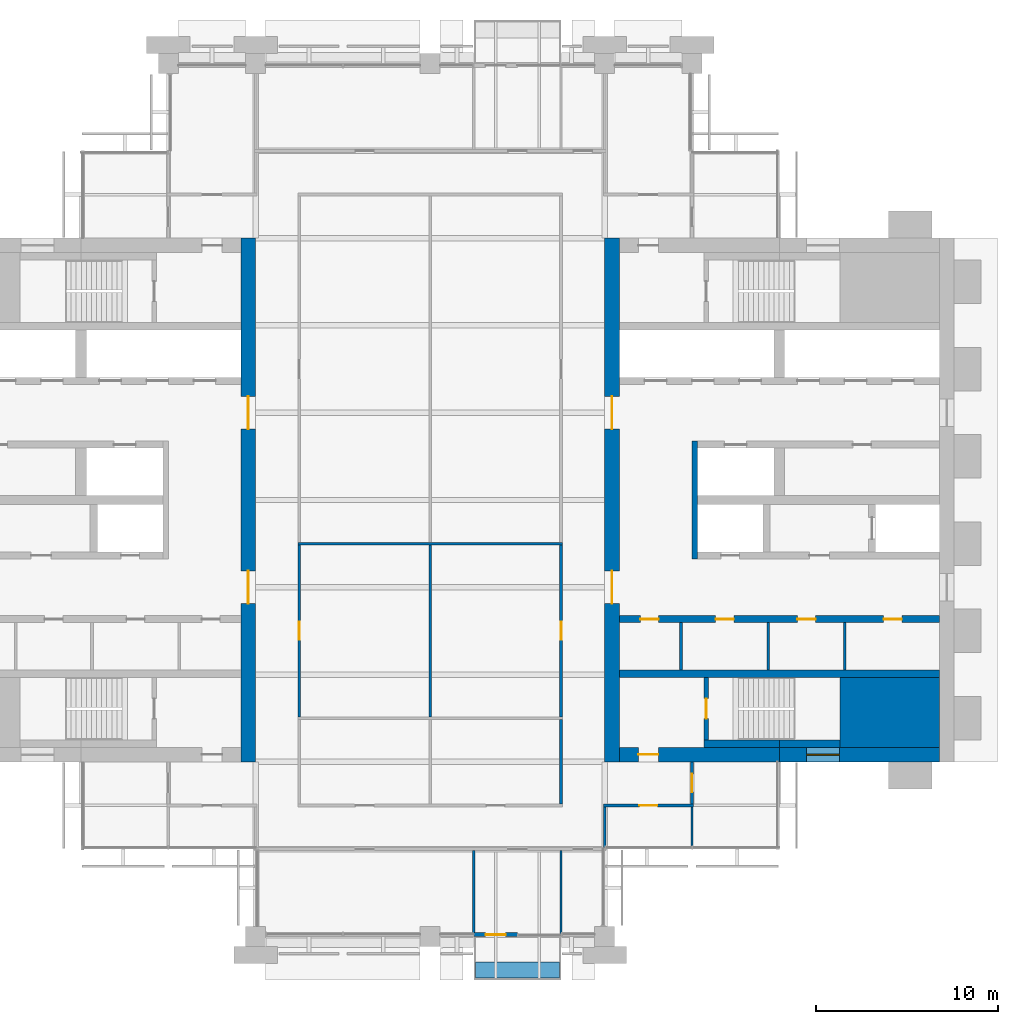
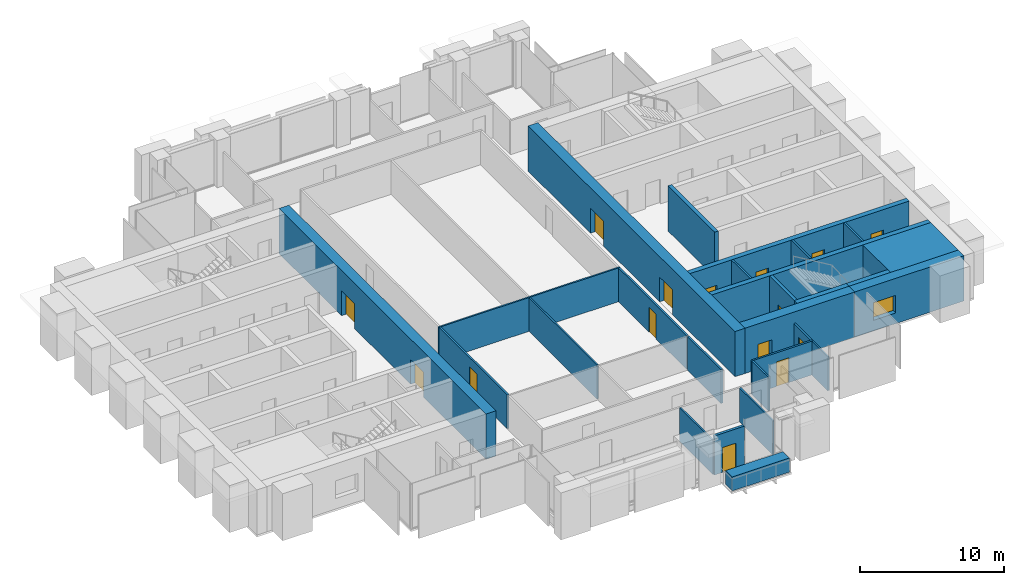
# One storey, part 9 of 14: 27 walls, 15 doors, 1 window, 16 openings.
"""IFC4 building model written with IfcOpenShell, lengths in metres."""

from ifc_helpers import new_model, si_unit, direction, frame, frame_2d, origin, place, context, subcontext, project, spatial, rectangle, extrude, material, layer, layer_set, type_object, element, fill, save


model = new_model("IFC4")

# Units and contexts
model_context = context("Model", 3, precision=1e-05, world=origin(), true_north=direction((0.0, 1.0)))
body_context = subcontext(model_context, "Body", "Model", "MODEL_VIEW")
ifc_project = project(units=[si_unit("LENGTHUNIT", "METRE"), si_unit("AREAUNIT", "SQUARE_METRE"), si_unit("VOLUMEUNIT", "CUBIC_METRE"), si_unit("PLANEANGLEUNIT", "RADIAN"), si_unit("MASSUNIT", "GRAM", prefix="KILO")], contexts=[model_context])

# Site, building, storey
site_placement = place(None, origin())
site = spatial("IfcSite", under=ifc_project, at=site_placement, CompositionType="ELEMENT")
building_placement = place(site_placement, origin())
building = spatial("IfcBuilding", under=site, at=building_placement, Name="Baori Bourse Tower", CompositionType="ELEMENT")
storey_placement = place(building_placement, frame((0.0, 0.0, 197.199951171875)))
storey = spatial("IfcBuildingStorey", under=building, at=storey_placement, Name="L42", CompositionType="ELEMENT", Elevation=197.199951171875)

# Walls
ifc_material_1 = material(Name="Concrete f'c 50 MPa", Category="concrete")
wall_type_1 = type_object("IfcWallType", Name="Core corner block f'c 50", PredefinedType="SHEAR", material=ifc_material_1)
wall_1_placement = place(storey_placement, frame((51.35009765625, 12.324951171875, 0.0), z_axis=(0.0, 0.0, 1.0), x_axis=(1.0, 0.0, 0.0)))
element("IfcWall", 1, at=wall_1_placement, inside=storey, type_object=wall_type_1, Name="Core wall E05", PredefinedType="SHEAR", context=body_context, shape_type="SweptSolid", body=[
    extrude(rectangle(XDim=5.449951171875, YDim=3.85009765625, at=frame_2d((2.72509765625, 0.0))), origin(), (0.0, 0.0, 1.0), 3.840087890625),
])
ifc_material_2 = material(Name="Blockwork partition", Category="masonry")
ifc_layer_1 = layer(ifc_material_2, 0.14990234375)
ifc_layer_set_1 = layer_set([ifc_layer_1], Name="Core partition 150")
wall_type_2 = type_object("IfcWallType", Name="Core partition 150", PredefinedType="PARTITIONING", material=ifc_layer_set_1)
for number, where, z_axis, x_axis, name in (
    (2, (51.60009765625, 14.64990234375, 0.0), (0.0, 0.0, 1.0), (0.0, 1.0, 0.0), "Partition wall E10"),
    (3, (47.39990234375, 14.64990234375, 0.0), (0.0, 0.0, 1.0), (0.0, 1.0, 0.0), "Partition wall E11"),
    (4, (42.60009765625, 14.64990234375, 0.0), (0.0, 0.0, 1.0), (0.0, 1.0, 0.0), "Partition wall E12"),
):
    element("IfcWall", number, at=place(storey_placement, frame(where, z_axis=z_axis, x_axis=x_axis)), inside=storey, type_object=wall_type_2, Name=name, PredefinedType="PARTITIONING", context=body_context, shape_type="SweptSolid", body=[
        extrude(rectangle(XDim=2.60009765625, YDim=0.14990234375, at=frame_2d((1.300048828125, 0.0))), origin(), (0.0, 0.0, 1.0), 3.840087890625),
    ])

# Wall, openings, doors
ifc_material_3 = material(Name="Concrete f'c 50 MPa", Category="concrete")
ifc_layer_2 = layer(ifc_material_3, 0.800048828125)
ifc_layer_set_2 = layer_set([ifc_layer_2], Name="Core wall 800 f'c 50")
wall_type_3 = type_object("IfcWallType", Name="Core wall 800 f'c 50", PredefinedType="SHEAR", material=ifc_layer_set_2)
wall_2_placement = place(storey_placement, frame((18.800048828125, 38.39990234375, 0.0), z_axis=(0.0, 0.0, 1.0), x_axis=(0.0, -1.0, 0.0)))
wall_2 = element("IfcWall", 5, at=wall_2_placement, inside=storey, type_object=wall_type_3, Name="Core wall W04", PredefinedType="SHEAR", context=body_context, shape_type="SweptSolid", body=[
    extrude(rectangle(XDim=28.7998046875, YDim=0.800048828125, at=frame_2d((14.39990234375, 0.0))), origin(), (0.0, 0.0, 1.0), 3.840087890625),
])
opening_1_placement = place(wall_2_placement, frame((18.300048828125, 0.0, 0.0)))
opening_1 = element("IfcOpeningElement", 6, at=opening_1_placement, cuts=wall_2, Name="Opening L42-D107", PredefinedType="OPENING", context=body_context, shape_type="SweptSolid", body=[
    extrude(rectangle(XDim=1.800048828125, YDim=2.10009765625, at=frame_2d((0.89990234375, 1.050048828125))), frame((0.0, 0.409912109375, 0.0), z_axis=(0.0, -1.0, 0.0), x_axis=(1.0, 0.0, 0.0)), (0.0, 0.0, 1.0), 0.820068359375),
])
opening_2_placement = place(wall_2_placement, frame((8.699951171875, 0.0, 0.0)))
opening_2 = element("IfcOpeningElement", 7, at=opening_2_placement, cuts=wall_2, Name="Opening L42-D108", PredefinedType="OPENING", context=body_context, shape_type="SweptSolid", body=[
    extrude(rectangle(XDim=1.800048828125, YDim=2.10009765625, at=frame_2d((0.89990234375, 1.050048828125))), frame((0.0, 0.409912109375, 0.0), z_axis=(0.0, -1.0, 0.0), x_axis=(1.0, 0.0, 0.0)), (0.0, 0.0, 1.0), 0.820068359375),
])
ifc_material_4 = material(Name="Painted steel door", Category="steel")
door_type_1 = type_object("IfcDoorType", Name="Core lobby door 1800", OperationType="DOUBLE_DOOR_SINGLE_SWING", PredefinedType="DOOR", material=ifc_material_4)
door_1_placement = place(opening_1_placement, origin())
door_1 = element("IfcDoor", 8, at=door_1_placement, inside=storey, type_object=door_type_1, Name="Lobby door W L42", OperationType="DOUBLE_DOOR_SINGLE_SWING", OverallHeight=2.10009765625, OverallWidth=1.800048828125, PredefinedType="DOOR", context=body_context, shape_type="SweptSolid", body=[
    extrude(rectangle(XDim=1.800048828125, YDim=2.10009765625, at=frame_2d((0.89990234375, 1.050048828125))), frame((0.0, 0.02490234375, 0.0), z_axis=(0.0, -1.0, 0.0), x_axis=(1.0, 0.0, 0.0)), (0.0, 0.0, 1.0), 0.050048828125),
])
fill(opening_1, door_1)
door_2_placement = place(opening_2_placement, origin())
door_2 = element("IfcDoor", 9, at=door_2_placement, inside=storey, type_object=door_type_1, Name="Lobby door W L42", OperationType="DOUBLE_DOOR_SINGLE_SWING", OverallHeight=2.10009765625, OverallWidth=1.800048828125, PredefinedType="DOOR", context=body_context, shape_type="SweptSolid", body=[
    extrude(rectangle(XDim=1.800048828125, YDim=2.10009765625, at=frame_2d((0.89990234375, 1.050048828125))), frame((0.0, 0.02490234375, 0.0), z_axis=(0.0, -1.0, 0.0), x_axis=(1.0, 0.0, 0.0)), (0.0, 0.0, 1.0), 0.050048828125),
])
fill(opening_2, door_2)

# Wall, opening, window
wall_3_placement = place(storey_placement, frame((56.800048828125, 10.0, 0.0), z_axis=(0.0, 0.0, 1.0), x_axis=(-1.0, 0.0, 0.0)))
wall_3 = element("IfcWall", 10, at=wall_3_placement, inside=storey, type_object=wall_type_3, Name="Core wall E02", PredefinedType="SHEAR", context=body_context, shape_type="SweptSolid", body=[
    extrude(rectangle(XDim=8.800048828125, YDim=0.800048828125, at=frame_2d((4.39990234375, 0.0))), origin(), (0.0, 0.0, 1.0), 3.840087890625),
])
opening_3_placement = place(wall_3_placement, frame((5.5, 0.0, 0.89990234375)))
opening_3 = element("IfcOpeningElement", 11, at=opening_3_placement, cuts=wall_3, Name="Opening L42-KW203", PredefinedType="OPENING", context=body_context, shape_type="SweptSolid", body=[
    extrude(rectangle(XDim=1.800048828125, YDim=1.5, at=frame_2d((0.89990234375, 0.75))), frame((0.0, 0.409912109375, 0.0), z_axis=(0.0, -1.0, 0.0), x_axis=(1.0, 0.0, 0.0)), (0.0, 0.0, 1.0), 0.820068359375),
])
ifc_material_5 = material(Name="Pale anodised aluminium", Category="aluminium")
window_type = type_object("IfcWindowType", Name="Stair window 1800 x 1500", PartitioningType="SINGLE_PANEL", PredefinedType="WINDOW", material=ifc_material_5)
window_placement = place(opening_3_placement, origin())
window = element("IfcWindow", 12, at=window_placement, inside=storey, type_object=window_type, Name="Stair window E L42 3", OverallHeight=1.5, OverallWidth=1.800048828125, PartitioningType="SINGLE_PANEL", PredefinedType="WINDOW", context=body_context, shape_type="SweptSolid", body=[
    extrude(rectangle(XDim=1.800048828125, YDim=1.5, at=frame_2d((0.89990234375, 0.75))), frame((0.0, 0.030029296875, 0.0), z_axis=(0.0, -1.0, 0.0), x_axis=(1.0, 0.0, 0.0)), (0.0, 0.0, 1.0), 0.06005859375),
])
fill(opening_3, window)

# Wall, opening, door
wall_4_placement = place(storey_placement, frame((48.0, 10.0, 0.0), z_axis=(0.0, 0.0, 1.0), x_axis=(-1.0, 0.0, 0.0)))
wall_4 = element("IfcWall", 13, at=wall_4_placement, inside=storey, type_object=wall_type_3, Name="Core wall E03", PredefinedType="SHEAR", context=body_context, shape_type="SweptSolid", body=[
    extrude(rectangle(XDim=8.800048828125, YDim=0.800048828125, at=frame_2d((4.39990234375, 0.0))), origin(), (0.0, 0.0, 1.0), 3.840087890625),
])
opening_4_placement = place(wall_4_placement, frame((6.64990234375, 0.0, 0.0)))
opening_4 = element("IfcOpeningElement", 14, at=opening_4_placement, cuts=wall_4, Name="Opening L42-D202", PredefinedType="OPENING", context=body_context, shape_type="SweptSolid", body=[
    extrude(rectangle(XDim=1.10009765625, YDim=2.10009765625, at=frame_2d((0.550048828125, 1.050048828125))), frame((0.0, 0.409912109375, 0.0), z_axis=(0.0, -1.0, 0.0), x_axis=(1.0, 0.0, 0.0)), (0.0, 0.0, 1.0), 0.820068359375),
])
ifc_material_6 = material(Name="Painted steel door", Category="steel")
door_type_2 = type_object("IfcDoorType", Name="Stair door 1100", OperationType="SINGLE_SWING_LEFT", PredefinedType="DOOR", material=ifc_material_6)
door_3_placement = place(opening_4_placement, origin())
door_3 = element("IfcDoor", 15, at=door_3_placement, inside=storey, type_object=door_type_2, Name="Stair vestibule door A E L42", OperationType="SINGLE_SWING_LEFT", OverallHeight=2.10009765625, OverallWidth=1.10009765625, PredefinedType="DOOR", context=body_context, shape_type="SweptSolid", body=[
    extrude(rectangle(XDim=1.10009765625, YDim=2.10009765625, at=frame_2d((0.550048828125, 1.050048828125))), frame((0.0, 0.02490234375, 0.0), z_axis=(0.0, -1.0, 0.0), x_axis=(1.0, 0.0, 0.0)), (0.0, 0.0, 1.0), 0.050048828125),
])
fill(opening_4, door_3)

# Wall, openings, doors
wall_5_placement = place(storey_placement, frame((38.800048828125, 9.60009765625, 0.0), z_axis=(0.0, 0.0, 1.0), x_axis=(0.0, 1.0, 0.0)))
wall_5 = element("IfcWall", 16, at=wall_5_placement, inside=storey, type_object=wall_type_3, Name="Core wall E04", PredefinedType="SHEAR", context=body_context, shape_type="SweptSolid", body=[
    extrude(rectangle(XDim=28.7998046875, YDim=0.800048828125, at=frame_2d((14.39990234375, 0.0))), origin(), (0.0, 0.0, 1.0), 3.840087890625),
])
opening_5_placement = place(wall_5_placement, frame((8.699951171875, 0.0, 0.0)))
opening_5 = element("IfcOpeningElement", 17, at=opening_5_placement, cuts=wall_5, Name="Opening L42-D207", PredefinedType="OPENING", context=body_context, shape_type="SweptSolid", body=[
    extrude(rectangle(XDim=1.800048828125, YDim=2.10009765625, at=frame_2d((0.89990234375, 1.050048828125))), frame((0.0, 0.409912109375, 0.0), z_axis=(0.0, -1.0, 0.0), x_axis=(1.0, 0.0, 0.0)), (0.0, 0.0, 1.0), 0.820068359375),
])
opening_6_placement = place(wall_5_placement, frame((18.300048828125, 0.0, 0.0)))
opening_6 = element("IfcOpeningElement", 18, at=opening_6_placement, cuts=wall_5, Name="Opening L42-D208", PredefinedType="OPENING", context=body_context, shape_type="SweptSolid", body=[
    extrude(rectangle(XDim=1.800048828125, YDim=2.10009765625, at=frame_2d((0.89990234375, 1.050048828125))), frame((0.0, 0.409912109375, 0.0), z_axis=(0.0, -1.0, 0.0), x_axis=(1.0, 0.0, 0.0)), (0.0, 0.0, 1.0), 0.820068359375),
])
door_4_placement = place(opening_5_placement, origin())
door_4 = element("IfcDoor", 19, at=door_4_placement, inside=storey, type_object=door_type_1, Name="Lobby door E L42", OperationType="DOUBLE_DOOR_SINGLE_SWING", OverallHeight=2.10009765625, OverallWidth=1.800048828125, PredefinedType="DOOR", context=body_context, shape_type="SweptSolid", body=[
    extrude(rectangle(XDim=1.800048828125, YDim=2.10009765625, at=frame_2d((0.89990234375, 1.050048828125))), frame((0.0, 0.02490234375, 0.0), z_axis=(0.0, -1.0, 0.0), x_axis=(1.0, 0.0, 0.0)), (0.0, 0.0, 1.0), 0.050048828125),
])
fill(opening_5, door_4)
door_5_placement = place(opening_6_placement, origin())
door_5 = element("IfcDoor", 20, at=door_5_placement, inside=storey, type_object=door_type_1, Name="Lobby door E L42", OperationType="DOUBLE_DOOR_SINGLE_SWING", OverallHeight=2.10009765625, OverallWidth=1.800048828125, PredefinedType="DOOR", context=body_context, shape_type="SweptSolid", body=[
    extrude(rectangle(XDim=1.800048828125, YDim=2.10009765625, at=frame_2d((0.89990234375, 1.050048828125))), frame((0.0, 0.02490234375, 0.0), z_axis=(0.0, -1.0, 0.0), x_axis=(1.0, 0.0, 0.0)), (0.0, 0.0, 1.0), 0.050048828125),
])
fill(opening_6, door_5)

# Wall, opening, door
ifc_material_7 = material(Name="Gypsum board partition")
ifc_layer_3 = layer(ifc_material_7, 0.14990234375)
ifc_layer_set_3 = layer_set([ifc_layer_3], Name="Corridor partition 150")
wall_type_4 = type_object("IfcWallType", Name="Corridor partition 150", PredefinedType="PARTITIONING", material=ifc_layer_set_3)
wall_6_placement = place(storey_placement, frame((38.324951171875, 7.199951171875, 0.0), z_axis=(0.0, 0.0, 1.0), x_axis=(1.0, 0.0, 0.0)))
wall_6 = element("IfcWall", 21, at=wall_6_placement, inside=storey, type_object=wall_type_4, Name="Partition", PredefinedType="PARTITIONING", context=body_context, shape_type="SweptSolid", body=[
    extrude(rectangle(XDim=4.949951171875, YDim=0.14990234375, at=frame_2d((2.47509765625, 0.0))), origin(), (0.0, 0.0, 1.0), 2.869873046875),
])
opening_7_placement = place(wall_6_placement, frame((1.97509765625, 0.0, 0.0)))
opening_7 = element("IfcOpeningElement", 22, at=opening_7_placement, cuts=wall_6, Name="Opening L42-D07", PredefinedType="OPENING", context=body_context, shape_type="SweptSolid", body=[
    extrude(rectangle(XDim=1.0, YDim=2.10009765625, at=frame_2d((0.5, 1.050048828125))), frame((0.0, 0.0849609375, 0.0), z_axis=(0.0, -1.0, 0.0), x_axis=(1.0, 0.0, 0.0)), (0.0, 0.0, 1.0), 0.169921875),
])
ifc_material_8 = material(Name="Timber door leaf", Category="wood")
door_type_3 = type_object("IfcDoorType", Name="Door 1000 x 2100", OperationType="SINGLE_SWING_LEFT", PredefinedType="DOOR", material=ifc_material_8)
door_6_placement = place(opening_7_placement, origin())
door_6 = element("IfcDoor", 23, at=door_6_placement, inside=storey, type_object=door_type_3, Name="Door", OperationType="SINGLE_SWING_LEFT", OverallHeight=2.10009765625, OverallWidth=1.0, PredefinedType="DOOR", context=body_context, shape_type="SweptSolid", body=[
    extrude(rectangle(XDim=1.0, YDim=2.10009765625, at=frame_2d((0.5, 1.050048828125))), frame((0.0, 0.02490234375, 0.0), z_axis=(0.0, -1.0, 0.0), x_axis=(1.0, 0.0, 0.0)), (0.0, 0.0, 1.0), 0.050048828125),
])
fill(opening_7, door_6)

wall_7_placement = place(storey_placement, frame((21.60009765625, 12.0625, 0.0), z_axis=(0.0, 0.0, 1.0), x_axis=(0.0, 1.0, 0.0)))
wall_7 = element("IfcWall", 24, at=wall_7_placement, inside=storey, type_object=wall_type_4, Name="Partition", PredefinedType="PARTITIONING", context=body_context, shape_type="SweptSolid", body=[
    extrude(rectangle(XDim=9.47509765625, YDim=0.14990234375, at=frame_2d((4.737548828125, 0.0))), origin(), (0.0, 0.0, 1.0), 2.869873046875),
])
opening_8_placement = place(wall_7_placement, frame((4.237548828125, 0.0, 0.0)))
opening_8 = element("IfcOpeningElement", 25, at=opening_8_placement, cuts=wall_7, Name="Opening L42-D15", PredefinedType="OPENING", context=body_context, shape_type="SweptSolid", body=[
    extrude(rectangle(XDim=1.0, YDim=2.10009765625, at=frame_2d((0.5, 1.050048828125))), frame((0.0, 0.0849609375, 0.0), z_axis=(0.0, -1.0, 0.0), x_axis=(1.0, 0.0, 0.0)), (0.0, 0.0, 1.0), 0.169921875),
])
door_7_placement = place(opening_8_placement, origin())
door_7 = element("IfcDoor", 26, at=door_7_placement, inside=storey, type_object=door_type_3, Name="Door", OperationType="SINGLE_SWING_LEFT", OverallHeight=2.10009765625, OverallWidth=1.0, PredefinedType="DOOR", context=body_context, shape_type="SweptSolid", body=[
    extrude(rectangle(XDim=1.0, YDim=2.10009765625, at=frame_2d((0.5, 1.050048828125))), frame((0.0, 0.02490234375, 0.0), z_axis=(0.0, -1.0, 0.0), x_axis=(1.0, 0.0, 0.0)), (0.0, 0.0, 1.0), 0.050048828125),
])
fill(opening_8, door_7)

# Wall
wall_8_placement = place(storey_placement, frame((36.0, 7.27490234375, 0.0), z_axis=(0.0, 0.0, 1.0), x_axis=(0.0, 1.0, 0.0)))
element("IfcWall", 27, at=wall_8_placement, inside=storey, type_object=wall_type_4, Name="Partition", PredefinedType="PARTITIONING", context=body_context, shape_type="SweptSolid", body=[
    extrude(rectangle(XDim=4.66259765625, YDim=0.14990234375, at=frame_2d((2.331298828125, 0.0))), origin(), (0.0, 0.0, 1.0), 2.869873046875),
])

# Wall, opening, door
wall_9_placement = place(storey_placement, frame((36.0, 12.0625, 0.0), z_axis=(0.0, 0.0, 1.0), x_axis=(0.0, 1.0, 0.0)))
wall_9 = element("IfcWall", 28, at=wall_9_placement, inside=storey, type_object=wall_type_4, Name="Partition", PredefinedType="PARTITIONING", context=body_context, shape_type="SweptSolid", body=[
    extrude(rectangle(XDim=9.47509765625, YDim=0.14990234375, at=frame_2d((4.737548828125, 0.0))), origin(), (0.0, 0.0, 1.0), 2.869873046875),
])
opening_9_placement = place(wall_9_placement, frame((4.237548828125, 0.0, 0.0)))
opening_9 = element("IfcOpeningElement", 29, at=opening_9_placement, cuts=wall_9, Name="Opening L42-D17", PredefinedType="OPENING", context=body_context, shape_type="SweptSolid", body=[
    extrude(rectangle(XDim=1.0, YDim=2.10009765625, at=frame_2d((0.5, 1.050048828125))), frame((0.0, 0.0849609375, 0.0), z_axis=(0.0, -1.0, 0.0), x_axis=(1.0, 0.0, 0.0)), (0.0, 0.0, 1.0), 0.169921875),
])
door_8_placement = place(opening_9_placement, origin())
door_8 = element("IfcDoor", 30, at=door_8_placement, inside=storey, type_object=door_type_3, Name="Door", OperationType="SINGLE_SWING_RIGHT", OverallHeight=2.10009765625, OverallWidth=1.0, PredefinedType="DOOR", context=body_context, shape_type="SweptSolid", body=[
    extrude(rectangle(XDim=1.0, YDim=2.10009765625, at=frame_2d((0.5, 1.050048828125))), frame((0.0, 0.02490234375, 0.0), z_axis=(0.0, -1.0, 0.0), x_axis=(1.0, 0.0, 0.0)), (0.0, 0.0, 1.0), 0.050048828125),
])
fill(opening_9, door_8)

# Wall
wall_10_placement = place(storey_placement, frame((38.39990234375, 4.875, 0.0), z_axis=(0.0, 0.0, 1.0), x_axis=(0.0, 1.0, 0.0)))
element("IfcWall", 31, at=wall_10_placement, inside=storey, type_object=wall_type_4, Name="Partition", PredefinedType="PARTITIONING", context=body_context, shape_type="SweptSolid", body=[
    extrude(rectangle(XDim=2.25, YDim=0.14990234375, at=frame_2d((1.125, 0.0))), origin(), (0.0, 0.0, 1.0), 2.869873046875),
])

# Wall, opening, door
wall_11_placement = place(storey_placement, frame((43.199951171875, 7.27490234375, 0.0), z_axis=(0.0, 0.0, 1.0), x_axis=(0.0, 1.0, 0.0)))
wall_11 = element("IfcWall", 32, at=wall_11_placement, inside=storey, type_object=wall_type_4, Name="Partition", PredefinedType="PARTITIONING", context=body_context, shape_type="SweptSolid", body=[
    extrude(rectangle(XDim=2.3251953125, YDim=0.14990234375, at=frame_2d((1.16259765625, 0.0))), origin(), (0.0, 0.0, 1.0), 2.869873046875),
])
opening_10_placement = place(wall_11_placement, frame((0.66259765625, 0.0, 0.0)))
opening_10 = element("IfcOpeningElement", 33, at=opening_10_placement, cuts=wall_11, Name="Opening L42-D19", PredefinedType="OPENING", context=body_context, shape_type="SweptSolid", body=[
    extrude(rectangle(XDim=1.0, YDim=2.10009765625, at=frame_2d((0.5, 1.050048828125))), frame((0.0, 0.0849609375, 0.0), z_axis=(0.0, -1.0, 0.0), x_axis=(1.0, 0.0, 0.0)), (0.0, 0.0, 1.0), 0.169921875),
])
door_9_placement = place(opening_10_placement, origin())
door_9 = element("IfcDoor", 34, at=door_9_placement, inside=storey, type_object=door_type_3, Name="Door", OperationType="SINGLE_SWING_LEFT", OverallHeight=2.10009765625, OverallWidth=1.0, PredefinedType="DOOR", context=body_context, shape_type="SweptSolid", body=[
    extrude(rectangle(XDim=1.0, YDim=2.10009765625, at=frame_2d((0.5, 1.050048828125))), frame((0.0, 0.02490234375, 0.0), z_axis=(0.0, -1.0, 0.0), x_axis=(1.0, 0.0, 0.0)), (0.0, 0.0, 1.0), 0.050048828125),
])
fill(opening_10, door_9)

ifc_material_9 = material(Name="Pale anodised aluminium", Category="aluminium")
ifc_layer_4 = layer(ifc_material_9, 0.199951171875)
ifc_layer_set_4 = layer_set([ifc_layer_4], Name="EW1 External wall bay")
wall_type_5 = type_object("IfcWallType", Name="EW1 External wall bay", PredefinedType="SOLIDWALL", material=ifc_layer_set_4)
wall_12_placement = place(storey_placement, frame((31.199951171875, 0.10009765625, 0.0), z_axis=(0.0, 0.0, 1.0), x_axis=(1.0, 0.0, 0.0)))
wall_12 = element("IfcWall", 35, at=wall_12_placement, inside=storey, type_object=wall_type_5, Name="External wall bay L42 2", PredefinedType="SOLIDWALL", context=body_context, shape_type="SweptSolid", body=[
    extrude(rectangle(XDim=2.400146484375, YDim=0.199951171875, at=frame_2d((1.2001953125, 0.0))), origin(), (0.0, 0.0, 1.0), 3.314208984375),
])
opening_11_placement = place(wall_12_placement, frame((0.64990234375, 0.0, 0.0)))
opening_11 = element("IfcOpeningElement", 36, at=opening_11_placement, cuts=wall_12, Name="Opening L42-D92", PredefinedType="OPENING", context=body_context, shape_type="SweptSolid", body=[
    extrude(rectangle(XDim=1.10009765625, YDim=2.10009765625, at=frame_2d((0.550048828125, 1.050048828125))), frame((0.0, 0.10986328125, 0.0), z_axis=(0.0, -1.0, 0.0), x_axis=(1.0, 0.0, 0.0)), (0.0, 0.0, 1.0), 0.219970703125),
])
ifc_material_10 = material(Name="Pale anodised aluminium", Category="aluminium")
door_type_4 = type_object("IfcDoorType", Name="BL1 Balcony door", OperationType="SINGLE_SWING_LEFT", PredefinedType="DOOR", material=ifc_material_10)
door_10_placement = place(opening_11_placement, origin())
door_10 = element("IfcDoor", 37, at=door_10_placement, inside=storey, type_object=door_type_4, Name="Balcony door L42 2", OperationType="SINGLE_SWING_LEFT", OverallHeight=2.10009765625, OverallWidth=1.10009765625, PredefinedType="DOOR", context=body_context, shape_type="SweptSolid", body=[
    extrude(rectangle(XDim=1.10009765625, YDim=2.10009765625, at=frame_2d((0.550048828125, 1.050048828125))), frame((0.0, 0.02490234375, 0.0), z_axis=(0.0, -1.0, 0.0), x_axis=(1.0, 0.0, 0.0)), (0.0, 0.0, 1.0), 0.050048828125),
])
fill(opening_11, door_10)

# Walls
ifc_material_11 = material(Name="Concrete f'c 40 MPa", Category="concrete")
ifc_layer_5 = layer(ifc_material_11, 0.89990234375)
ifc_layer_set_5 = layer_set([ifc_layer_5], Name="PW1 Planter wall")
wall_type_6 = type_object("IfcWallType", Name="PW1 Planter wall", PredefinedType="USERDEFINED", material=ifc_layer_set_5)
wall_13_placement = place(storey_placement, frame((31.300048828125, -1.85009765625, 0.0), z_axis=(0.0, 0.0, 1.0), x_axis=(1.0, 0.0, 0.0)))
element("IfcWall", 38, at=wall_13_placement, inside=storey, type_object=wall_type_6, Name="Planter balcony S L42 1", ObjectType="PLANTER", PredefinedType="USERDEFINED", context=body_context, shape_type="SweptSolid", body=[
    extrude(rectangle(XDim=4.599853515625, YDim=0.89990234375, at=frame_2d((2.2998046875, 0.0))), origin(), (0.0, 0.0, 1.0), 1.199951171875),
])
ifc_material_12 = material(Name="Gypsum board partition")
ifc_layer_6 = layer(ifc_material_12, 0.125)
ifc_layer_set_6 = layer_set([ifc_layer_6], Name="Partition 125")
wall_type_7 = type_object("IfcWallType", Name="Partition 125", PredefinedType="PARTITIONING", material=ifc_layer_set_6)
wall_14_placement = place(storey_placement, frame((21.52490234375, 21.60009765625, 0.0), z_axis=(0.0, 0.0, 1.0), x_axis=(1.0, 0.0, 0.0)))
element("IfcWall", 39, at=wall_14_placement, inside=storey, type_object=wall_type_7, Name="Partition", PredefinedType="PARTITIONING", context=body_context, shape_type="SweptSolid", body=[
    extrude(rectangle(XDim=14.550048828125, YDim=0.125, at=frame_2d((7.27490234375, 0.0))), origin(), (0.0, 0.0, 1.0), 2.869873046875),
])
wall_15_placement = place(storey_placement, frame((28.800048828125, 12.0625, 0.0), z_axis=(0.0, 0.0, 1.0), x_axis=(0.0, 1.0, 0.0)))
element("IfcWall", 40, at=wall_15_placement, inside=storey, type_object=wall_type_7, Name="Partition", PredefinedType="PARTITIONING", context=body_context, shape_type="SweptSolid", body=[
    extrude(rectangle(XDim=9.47509765625, YDim=0.125, at=frame_2d((4.737548828125, 0.0))), origin(), (0.0, 0.0, 1.0), 2.869873046875),
])
for number, where, z_axis, x_axis, name in (
    (41, (31.199951171875, 0.10009765625, 0.0), (0.0, 0.0, 1.0), (0.0, 1.0, 0.0), "Partition"),
    (42, (36.0, 0.10009765625, 0.0), (0.0, 0.0, 1.0), (0.0, 1.0, 0.0), "Partition"),
):
    element("IfcWall", number, at=place(storey_placement, frame(where, z_axis=z_axis, x_axis=x_axis)), inside=storey, type_object=wall_type_7, Name=name, PredefinedType="PARTITIONING", context=body_context, shape_type="SweptSolid", body=[
        extrude(rectangle(XDim=4.625, YDim=0.125, at=frame_2d((2.3125, 0.0))), origin(), (0.0, 0.0, 1.0), 2.869873046875),
    ])
wall_16_placement = place(storey_placement, frame((43.199951171875, 4.89990234375, 0.0), z_axis=(0.0, 0.0, 1.0), x_axis=(0.0, 1.0, 0.0)))
element("IfcWall", 43, at=wall_16_placement, inside=storey, type_object=wall_type_7, Name="Partition", PredefinedType="PARTITIONING", context=body_context, shape_type="SweptSolid", body=[
    extrude(rectangle(XDim=2.22509765625, YDim=0.125, at=frame_2d((1.112548828125, 0.0))), origin(), (0.0, 0.0, 1.0), 2.869873046875),
])

# Wall, opening, door
ifc_material_13 = material(Name="Concrete f'c 50 MPa", Category="concrete")
ifc_layer_7 = layer(ifc_material_13, 0.25)
ifc_layer_set_7 = layer_set([ifc_layer_7], Name="Shaft wall 250 f'c 50")
wall_type_8 = type_object("IfcWallType", Name="Shaft wall 250 f'c 50", PredefinedType="SHEAR", material=ifc_layer_set_7)
wall_17_placement = place(storey_placement, frame((43.97509765625, 10.800048828125, 0.0), z_axis=(0.0, 0.0, 1.0), x_axis=(0.0, 1.0, 0.0)))
wall_17 = element("IfcWall", 44, at=wall_17_placement, inside=storey, type_object=wall_type_8, Name="Core wall E08", PredefinedType="SHEAR", context=body_context, shape_type="SweptSolid", body=[
    extrude(rectangle(XDim=3.449951171875, YDim=0.25, at=frame_2d((1.72509765625, 0.0))), origin(), (0.0, 0.0, 1.0), 3.840087890625),
])
opening_12_placement = place(wall_17_placement, frame((1.175048828125, 0.0, 0.0)))
opening_12 = element("IfcOpeningElement", 45, at=opening_12_placement, cuts=wall_17, Name="Opening L42-D201", PredefinedType="OPENING", context=body_context, shape_type="SweptSolid", body=[
    extrude(rectangle(XDim=1.10009765625, YDim=2.10009765625, at=frame_2d((0.550048828125, 1.050048828125))), frame((0.0, 0.135009765625, 0.0), z_axis=(0.0, -1.0, 0.0), x_axis=(1.0, 0.0, 0.0)), (0.0, 0.0, 1.0), 0.27001953125),
])
door_11_placement = place(opening_12_placement, origin())
door_11 = element("IfcDoor", 46, at=door_11_placement, inside=storey, type_object=door_type_2, Name="Stair door A E L42", OperationType="SINGLE_SWING_LEFT", OverallHeight=2.10009765625, OverallWidth=1.10009765625, PredefinedType="DOOR", context=body_context, shape_type="SweptSolid", body=[
    extrude(rectangle(XDim=1.10009765625, YDim=2.10009765625, at=frame_2d((0.550048828125, 1.050048828125))), frame((0.0, 0.02490234375, 0.0), z_axis=(0.0, -1.0, 0.0), x_axis=(1.0, 0.0, 0.0)), (0.0, 0.0, 1.0), 0.050048828125),
])
fill(opening_12, door_11)

# Walls
ifc_material_14 = material(Name="Concrete f'c 50 MPa", Category="concrete")
ifc_layer_8 = layer(ifc_material_14, 0.300048828125)
ifc_layer_set_8 = layer_set([ifc_layer_8], Name="Shaft wall 300 f'c 50")
wall_type_9 = type_object("IfcWallType", Name="Shaft wall 300 f'c 50", PredefinedType="SHEAR", material=ifc_layer_set_8)
wall_18_placement = place(storey_placement, frame((43.35009765625, 20.75, 0.0), z_axis=(0.0, 0.0, 1.0), x_axis=(0.0, 1.0, 0.0)))
element("IfcWall", 47, at=wall_18_placement, inside=storey, type_object=wall_type_9, Name="Core wall E15", PredefinedType="SHEAR", context=body_context, shape_type="SweptSolid", body=[
    extrude(rectangle(XDim=6.5, YDim=0.300048828125, at=frame_2d((3.25, 0.0))), origin(), (0.0, 0.0, 1.0), 3.840087890625),
])
ifc_material_15 = material(Name="Concrete f'c 50 MPa", Category="concrete")
ifc_layer_9 = layer(ifc_material_15, 0.39990234375)
ifc_layer_set_9 = layer_set([ifc_layer_9], Name="Shaft wall 400 f'c 50")
wall_type_10 = type_object("IfcWallType", Name="Shaft wall 400 f'c 50", PredefinedType="SHEAR", material=ifc_layer_set_9)
wall_19_placement = place(storey_placement, frame((48.0, 10.60009765625, 0.0), z_axis=(0.0, 0.0, 1.0), x_axis=(1.0, 0.0, 0.0)))
element("IfcWall", 48, at=wall_19_placement, inside=storey, type_object=wall_type_10, Name="Core wall E06", PredefinedType="SHEAR", context=body_context, shape_type="SweptSolid", body=[
    extrude(rectangle(XDim=3.35009765625, YDim=0.39990234375, at=frame_2d((1.675048828125, 0.0))), origin(), (0.0, 0.0, 1.0), 3.840087890625),
])
wall_20_placement = place(storey_placement, frame((43.85009765625, 10.60009765625, 0.0), z_axis=(0.0, 0.0, 1.0), x_axis=(1.0, 0.0, 0.0)))
element("IfcWall", 49, at=wall_20_placement, inside=storey, type_object=wall_type_10, Name="Core wall E07", PredefinedType="SHEAR", context=body_context, shape_type="SweptSolid", body=[
    extrude(rectangle(XDim=4.14990234375, YDim=0.39990234375, at=frame_2d((2.074951171875, 0.0))), origin(), (0.0, 0.0, 1.0), 3.840087890625),
])
wall_21_placement = place(storey_placement, frame((39.199951171875, 14.449951171875, 0.0), z_axis=(0.0, 0.0, 1.0), x_axis=(1.0, 0.0, 0.0)))
element("IfcWall", 50, at=wall_21_placement, inside=storey, type_object=wall_type_10, Name="Core wall E09", PredefinedType="SHEAR", context=body_context, shape_type="SweptSolid", body=[
    extrude(rectangle(XDim=17.60009765625, YDim=0.39990234375, at=frame_2d((8.800048828125, 0.0))), origin(), (0.0, 0.0, 1.0), 3.840087890625),
])

# Wall, openings, doors
wall_22_placement = place(storey_placement, frame((39.199951171875, 17.449951171875, 0.0), z_axis=(0.0, 0.0, 1.0), x_axis=(1.0, 0.0, 0.0)))
wall_22 = element("IfcWall", 51, at=wall_22_placement, inside=storey, type_object=wall_type_10, Name="Core wall E13", PredefinedType="SHEAR", context=body_context, shape_type="SweptSolid", body=[
    extrude(rectangle(XDim=17.60009765625, YDim=0.39990234375, at=frame_2d((8.800048828125, 0.0))), origin(), (0.0, 0.0, 1.0), 3.840087890625),
])
opening_13_placement = place(wall_22_placement, frame((14.53759765625, 0.0, 0.0)))
opening_13 = element("IfcOpeningElement", 52, at=opening_13_placement, cuts=wall_22, Name="Opening L42-D209", PredefinedType="OPENING", context=body_context, shape_type="SweptSolid", body=[
    extrude(rectangle(XDim=1.0, YDim=2.10009765625, at=frame_2d((0.5, 1.050048828125))), frame((0.0, 0.2099609375, 0.0), z_axis=(0.0, -1.0, 0.0), x_axis=(1.0, 0.0, 0.0)), (0.0, 0.0, 1.0), 0.419921875),
])
opening_14_placement = place(wall_22_placement, frame((9.800048828125, 0.0, 0.0)))
opening_14 = element("IfcOpeningElement", 53, at=opening_14_placement, cuts=wall_22, Name="Opening L42-D210", PredefinedType="OPENING", context=body_context, shape_type="SweptSolid", body=[
    extrude(rectangle(XDim=1.0, YDim=2.10009765625, at=frame_2d((0.5, 1.050048828125))), frame((0.0, 0.2099609375, 0.0), z_axis=(0.0, -1.0, 0.0), x_axis=(1.0, 0.0, 0.0)), (0.0, 0.0, 1.0), 0.419921875),
])
opening_15_placement = place(wall_22_placement, frame((5.300048828125, 0.0, 0.0)))
opening_15 = element("IfcOpeningElement", 54, at=opening_15_placement, cuts=wall_22, Name="Opening L42-D211", PredefinedType="OPENING", context=body_context, shape_type="SweptSolid", body=[
    extrude(rectangle(XDim=1.0, YDim=2.10009765625, at=frame_2d((0.5, 1.050048828125))), frame((0.0, 0.2099609375, 0.0), z_axis=(0.0, -1.0, 0.0), x_axis=(1.0, 0.0, 0.0)), (0.0, 0.0, 1.0), 0.419921875),
])
opening_16_placement = place(wall_22_placement, frame((1.16259765625, 0.0, 0.0)))
opening_16 = element("IfcOpeningElement", 55, at=opening_16_placement, cuts=wall_22, Name="Opening L42-D212", PredefinedType="OPENING", context=body_context, shape_type="SweptSolid", body=[
    extrude(rectangle(XDim=1.0, YDim=2.10009765625, at=frame_2d((0.5, 1.050048828125))), frame((0.0, 0.2099609375, 0.0), z_axis=(0.0, -1.0, 0.0), x_axis=(1.0, 0.0, 0.0)), (0.0, 0.0, 1.0), 0.419921875),
])
ifc_material_16 = material(Name="Painted steel door", Category="steel")
door_type_5 = type_object("IfcDoorType", Name="Core door 1000", OperationType="SINGLE_SWING_LEFT", PredefinedType="DOOR", material=ifc_material_16)
door_12_placement = place(opening_13_placement, origin())
door_12 = element("IfcDoor", 56, at=door_12_placement, inside=storey, type_object=door_type_5, Name="Men'S Wc door E L42", OperationType="SINGLE_SWING_LEFT", OverallHeight=2.10009765625, OverallWidth=1.0, PredefinedType="DOOR", context=body_context, shape_type="SweptSolid", body=[
    extrude(rectangle(XDim=1.0, YDim=2.10009765625, at=frame_2d((0.5, 1.050048828125))), frame((0.0, 0.02490234375, 0.0), z_axis=(0.0, -1.0, 0.0), x_axis=(1.0, 0.0, 0.0)), (0.0, 0.0, 1.0), 0.050048828125),
])
fill(opening_13, door_12)
door_13_placement = place(opening_14_placement, origin())
door_13 = element("IfcDoor", 57, at=door_13_placement, inside=storey, type_object=door_type_5, Name="Accessible Wc door E L42", OperationType="SINGLE_SWING_LEFT", OverallHeight=2.10009765625, OverallWidth=1.0, PredefinedType="DOOR", context=body_context, shape_type="SweptSolid", body=[
    extrude(rectangle(XDim=1.0, YDim=2.10009765625, at=frame_2d((0.5, 1.050048828125))), frame((0.0, 0.02490234375, 0.0), z_axis=(0.0, -1.0, 0.0), x_axis=(1.0, 0.0, 0.0)), (0.0, 0.0, 1.0), 0.050048828125),
])
fill(opening_14, door_13)
door_14_placement = place(opening_15_placement, origin())
door_14 = element("IfcDoor", 58, at=door_14_placement, inside=storey, type_object=door_type_5, Name="Women'S Wc door E L42", OperationType="SINGLE_SWING_LEFT", OverallHeight=2.10009765625, OverallWidth=1.0, PredefinedType="DOOR", context=body_context, shape_type="SweptSolid", body=[
    extrude(rectangle(XDim=1.0, YDim=2.10009765625, at=frame_2d((0.5, 1.050048828125))), frame((0.0, 0.02490234375, 0.0), z_axis=(0.0, -1.0, 0.0), x_axis=(1.0, 0.0, 0.0)), (0.0, 0.0, 1.0), 0.050048828125),
])
fill(opening_15, door_14)
ifc_material_17 = material(Name="Painted steel door", Category="steel")
door_type_6 = type_object("IfcDoorType", Name="Plant room door 1000", OperationType="SINGLE_SWING_LEFT", PredefinedType="DOOR", material=ifc_material_17)
door_15_placement = place(opening_16_placement, origin())
door_15 = element("IfcDoor", 59, at=door_15_placement, inside=storey, type_object=door_type_6, Name="Plumbing Equipment Room door E L42", OperationType="SINGLE_SWING_LEFT", OverallHeight=2.10009765625, OverallWidth=1.0, PredefinedType="DOOR", context=body_context, shape_type="SweptSolid", body=[
    extrude(rectangle(XDim=1.0, YDim=2.10009765625, at=frame_2d((0.5, 1.050048828125))), frame((0.0, 0.02490234375, 0.0), z_axis=(0.0, -1.0, 0.0), x_axis=(1.0, 0.0, 0.0)), (0.0, 0.0, 1.0), 0.050048828125),
])
fill(opening_16, door_15)

save(model, "model.ifc")
